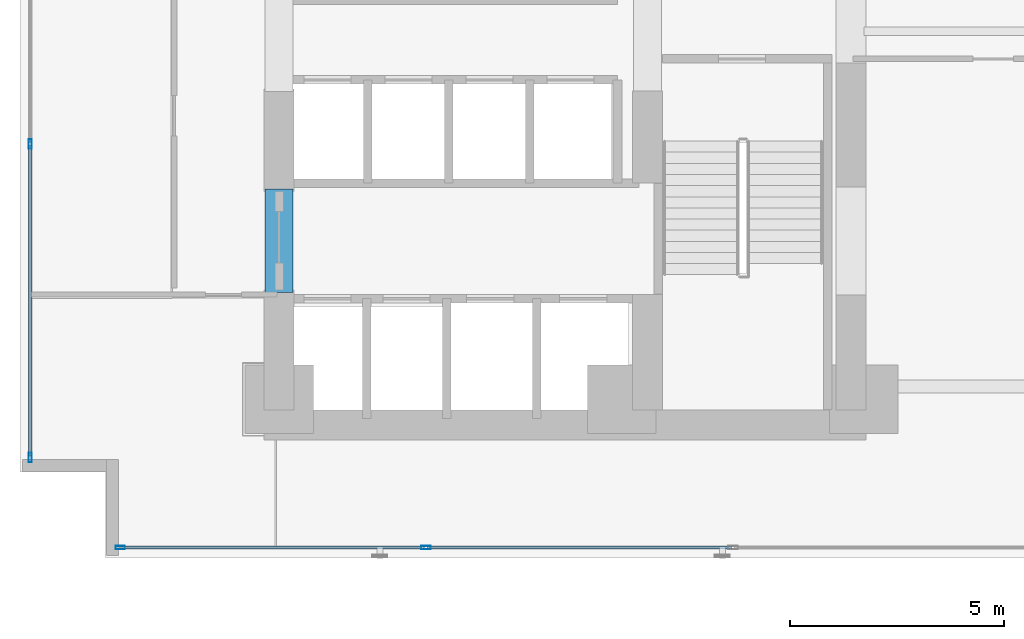
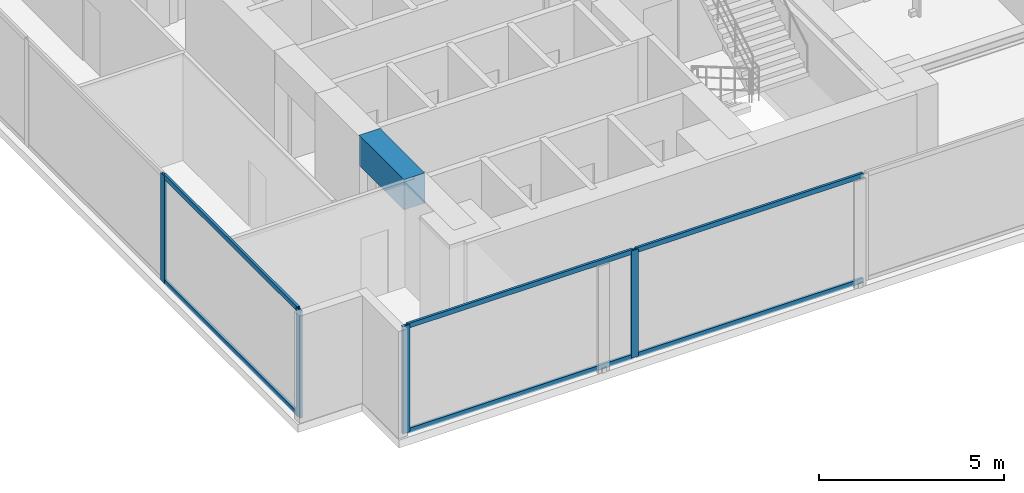
# One storey, part 2 of 31: 10 members, 1 beam, 2 elements without a shape of their own.
"""IFC4 building model written with IfcOpenShell, lengths in metres."""

from ifc_helpers import new_model, si_unit, direction, frame, origin, origin_with_axes, origin_2d, place, context, subcontext, project, spatial, rectangle, hollow_rectangle, extrude, source, transform, mapped, material, layer, layer_set, material_profile, profile_set, type_object, element, aggregate, save


model = new_model("IFC4")

# Units and contexts
model_context = context("Model", 3, precision=1e-05, world=origin(), true_north=direction((0.0, 1.0)))
body_context = subcontext(model_context, "Body", "Model", "MODEL_VIEW")
ifc_project = project(units=[si_unit("LENGTHUNIT", "METRE"), si_unit("AREAUNIT", "SQUARE_METRE"), si_unit("VOLUMEUNIT", "CUBIC_METRE"), si_unit("PLANEANGLEUNIT", "RADIAN"), si_unit("MASSUNIT", "GRAM", prefix="KILO")], contexts=[model_context])

# Site, building, storey
site_placement = place(None, origin())
site = spatial("IfcSite", under=ifc_project, at=site_placement, CompositionType="ELEMENT")
building_placement = place(site_placement, origin())
building = spatial("IfcBuilding", under=site, at=building_placement, Name="Kolvaren Waterfront Exchange", CompositionType="ELEMENT")
storey_placement = place(building_placement, frame((0.0, 0.0, 67.60009765625)))
storey = spatial("IfcBuildingStorey", under=building, at=storey_placement, Name="L17", CompositionType="ELEMENT", Elevation=67.60009765625)

# Beam
ifc_material_1 = material(Name="Concrete C60/75", Category="concrete")
ifc_material_profile_1 = material_profile(ifc_material_1, rectangle(XDim=0.64990234375, YDim=1.0, at=origin_2d()), Name="RC-CB-1000x650")
ifc_profile_set_1 = profile_set([ifc_material_profile_1], Name="Concrete C60/75")
beam_type = type_object("IfcBeamType", Name="STR-CB-1000", PredefinedType="SPANDREL", material=ifc_profile_set_1)
beam_placement = place(storey_placement, frame((7.449951171875, 7.389892578125, 3.039794921875), z_axis=(0.0, 1.0, 0.0), x_axis=(-1.0, 0.0, 0.0)))
element("IfcBeam", 1, at=beam_placement, inside=storey, type_object=beam_type, Name="L17 core coupling beam 3", PredefinedType="SPANDREL", context=body_context, shape_type="SweptSolid", body=[
    extrude(rectangle(XDim=0.64990234375, YDim=1.0, at=origin_2d()), origin(), (0.0, 0.0, 1.0), 2.420166015625),
])

# Curtain wall, members
ifc_material_2 = material(Name="Anodised bronze aluminium 6063-T6", Category="aluminium")
ifc_layer_1 = layer(ifc_material_2, 0.219970703125, Name="Anodised bronze aluminium 6063-T6")
ifc_layer_set_1 = layer_set([ifc_layer_1], Name="Anodised bronze aluminium 6063-T6")
curtain_wall_type_1 = type_object("IfcCurtainWallType", Name="ARC-CW-SYS1", PredefinedType="USERDEFINED", material=ifc_layer_set_1)
curtain_wall_1_placement = place(storey_placement, origin())
curtain_wall_1 = element("IfcCurtainWall", 2, at=curtain_wall_1_placement, inside=storey, type_object=curtain_wall_type_1, Name="L17 stick curtain wall CW1 (CW-L17-S)", ObjectType="STICK CURTAIN WALL", PredefinedType="USERDEFINED")
ifc_material_3 = material(Name="Anodised aluminium 6063-T6", Category="aluminium")
ifc_material_profile_2 = material_profile(ifc_material_3, hollow_rectangle(XDim=0.080078125, YDim=0.219970703125, WallThickness=0.0048828125, at=origin_2d()), Name="ALU-MUL-220x80x5")
ifc_profile_set_2 = profile_set([ifc_material_profile_2], Name="Anodised aluminium 6063-T6")
member_type_1 = type_object("IfcMemberType", Name="ARC-CWM-220", PredefinedType="MULLION", material=ifc_profile_set_2)
shared_shape_1 = source(origin_with_axes(), body_context, "Body", "SweptSolid", [
    extrude(hollow_rectangle(XDim=0.080078125, YDim=0.219970703125, WallThickness=0.0048828125, at=origin_2d()), origin(), (0.0, 0.0, 1.0), 3.539794921875),
])
member_1_placement = place(storey_placement, frame((3.739990234375, 1.43994140625, 0.0), z_axis=(0.0, 0.0, 1.0), x_axis=(0.0, 1.0, 0.0)))
member_1 = element("IfcMember", 3, at=member_1_placement, type_object=member_type_1, Name="CW1 mullion 1", PredefinedType="MULLION", context=body_context, shape_type="MappedRepresentation", body=[
    mapped(shared_shape_1, transform((0.0, 0.0, 0.0), x_axis=(1.0, 0.0, 0.0), y_axis=(0.0, 1.0, 0.0), z_axis=(0.0, 0.0, 1.0), scale=1.0)),
])
member_2_placement = place(storey_placement, frame((10.875, 1.43994140625, 0.0), z_axis=(0.0, 0.0, 1.0), x_axis=(0.0, 1.0, 0.0)))
member_2 = element("IfcMember", 4, at=member_2_placement, type_object=member_type_1, Name="CW1 mullion 2", PredefinedType="MULLION", context=body_context, shape_type="MappedRepresentation", body=[
    mapped(shared_shape_1, transform((0.0, 0.0, 0.0), x_axis=(1.0, 0.0, 0.0), y_axis=(0.0, 1.0, 0.0), z_axis=(0.0, 0.0, 1.0), scale=1.0)),
])

ifc_layer_2 = layer(ifc_material_3, 0.219970703125, Name="Anodised aluminium 6063-T6")
ifc_layer_set_2 = layer_set([ifc_layer_2], Name="Anodised aluminium 6063-T6")
curtain_wall_type_2 = type_object("IfcCurtainWallType", Name="ARC-CW-SYS2", PredefinedType="USERDEFINED", material=ifc_layer_set_2)
curtain_wall_2_placement = place(storey_placement, origin())
curtain_wall_2 = element("IfcCurtainWall", 5, at=curtain_wall_2_placement, inside=storey, type_object=curtain_wall_type_2, Name="L17 stick curtain wall CW2 (CW-L17-W)", ObjectType="STICK CURTAIN WALL", PredefinedType="USERDEFINED")
member_3_placement = place(storey_placement, frame((1.639892578125, 3.5400390625, 0.0), z_axis=(0.0, 0.0, 1.0), x_axis=(-1.0, 0.0, 0.0)))
member_3 = element("IfcMember", 6, at=member_3_placement, type_object=member_type_1, Name="CW2 mullion 1", PredefinedType="MULLION", context=body_context, shape_type="MappedRepresentation", body=[
    mapped(shared_shape_1, transform((0.0, 0.0, 0.0), x_axis=(1.0, 0.0, 0.0), y_axis=(0.0, 1.0, 0.0), z_axis=(0.0, 0.0, 1.0), scale=1.0)),
])
member_4_placement = place(storey_placement, frame((1.639892578125, 10.86669921875, 0.0), z_axis=(0.0, 0.0, 1.0), x_axis=(-1.0, 0.0, 0.0)))
member_4 = element("IfcMember", 7, at=member_4_placement, type_object=member_type_1, Name="CW2 mullion 2", PredefinedType="MULLION", context=body_context, shape_type="MappedRepresentation", body=[
    mapped(shared_shape_1, transform((0.0, 0.0, 0.0), x_axis=(1.0, 0.0, 0.0), y_axis=(0.0, 1.0, 0.0), z_axis=(0.0, 0.0, 1.0), scale=1.0)),
])

# Member
ifc_material_profile_3 = material_profile(ifc_material_3, hollow_rectangle(XDim=0.074951171875, YDim=0.159912109375, WallThickness=0.00439453125, at=origin_2d()), Name="ALU-TRN-160x75x4.5")
ifc_profile_set_3 = profile_set([ifc_material_profile_3], Name="Anodised aluminium 6063-T6")
member_type_2 = type_object("IfcMemberType", Name="ARC-CWT-160", PredefinedType="USERDEFINED", material=ifc_profile_set_3)
shared_shape_2 = source(origin_with_axes(), body_context, "Body", "SweptSolid", [
    extrude(hollow_rectangle(XDim=0.074951171875, YDim=0.159912109375, WallThickness=0.00439453125, at=origin_2d()), origin(), (0.0, 0.0, 1.0), 7.054931640625),
])
member_5_placement = place(storey_placement, frame((3.780029296875, 1.43994140625, 0.037353515625), z_axis=(1.0, 0.0, 0.0), x_axis=(0.0, 1.0, 0.0)))
member_5 = element("IfcMember", 8, at=member_5_placement, type_object=member_type_2, Name="CW1 transom 1.1", ObjectType="TRANSOM", PredefinedType="USERDEFINED", context=body_context, shape_type="MappedRepresentation", body=[
    mapped(shared_shape_2, transform((0.0, 0.0, 0.0), x_axis=(1.0, 0.0, 0.0), y_axis=(0.0, 1.0, 0.0), z_axis=(0.0, 0.0, 1.0), scale=1.0)),
])

member_6_placement = place(storey_placement, frame((3.780029296875, 1.43994140625, 3.50244140625), z_axis=(1.0, 0.0, 0.0), x_axis=(0.0, 1.0, 0.0)))
member_6 = element("IfcMember", 9, at=member_6_placement, type_object=member_type_2, Name="CW1 transom 1.2", ObjectType="TRANSOM", PredefinedType="USERDEFINED", context=body_context, shape_type="MappedRepresentation", body=[
    mapped(shared_shape_2, transform((0.0, 0.0, 0.0), x_axis=(1.0, 0.0, 0.0), y_axis=(0.0, 1.0, 0.0), z_axis=(0.0, 0.0, 1.0), scale=1.0)),
])

shared_shape_3 = source(origin_with_axes(), body_context, "Body", "SweptSolid", [
    extrude(hollow_rectangle(XDim=0.074951171875, YDim=0.159912109375, WallThickness=0.00439453125, at=origin_2d()), origin(), (0.0, 0.0, 1.0), 7.094970703125),
])
member_7_placement = place(storey_placement, frame((10.9150390625, 1.43994140625, 0.037353515625), z_axis=(1.0, 0.0, 0.0), x_axis=(0.0, 1.0, 0.0)))
member_7 = element("IfcMember", 10, at=member_7_placement, type_object=member_type_2, Name="CW1 transom 2.1", ObjectType="TRANSOM", PredefinedType="USERDEFINED", context=body_context, shape_type="MappedRepresentation", body=[
    mapped(shared_shape_3, transform((0.0, 0.0, 0.0), x_axis=(1.0, 0.0, 0.0), y_axis=(0.0, 1.0, 0.0), z_axis=(0.0, 0.0, 1.0), scale=1.0)),
])

member_8_placement = place(storey_placement, frame((10.9150390625, 1.43994140625, 3.50244140625), z_axis=(1.0, 0.0, 0.0), x_axis=(0.0, 1.0, 0.0)))
member_8 = element("IfcMember", 11, at=member_8_placement, type_object=member_type_2, Name="CW1 transom 2.2", ObjectType="TRANSOM", PredefinedType="USERDEFINED", context=body_context, shape_type="MappedRepresentation", body=[
    mapped(shared_shape_3, transform((0.0, 0.0, 0.0), x_axis=(1.0, 0.0, 0.0), y_axis=(0.0, 1.0, 0.0), z_axis=(0.0, 0.0, 1.0), scale=1.0)),
])

aggregate(curtain_wall_1, [member_1, member_2, member_5, member_6, member_7, member_8])

shared_shape_4 = source(origin_with_axes(), body_context, "Body", "SweptSolid", [
    extrude(hollow_rectangle(XDim=0.074951171875, YDim=0.159912109375, WallThickness=0.00439453125, at=origin_2d()), origin(), (0.0, 0.0, 1.0), 7.24658203125),
])
member_9_placement = place(storey_placement, frame((1.639892578125, 3.580078125, 0.037353515625), z_axis=(0.0, 1.0, 0.0), x_axis=(-1.0, 0.0, 0.0)))
member_9 = element("IfcMember", 12, at=member_9_placement, type_object=member_type_2, Name="CW2 transom 1.1", ObjectType="TRANSOM", PredefinedType="USERDEFINED", context=body_context, shape_type="MappedRepresentation", body=[
    mapped(shared_shape_4, transform((0.0, 0.0, 0.0), x_axis=(1.0, 0.0, 0.0), y_axis=(0.0, 1.0, 0.0), z_axis=(0.0, 0.0, 1.0), scale=1.0)),
])

member_10_placement = place(storey_placement, frame((1.639892578125, 3.580078125, 3.50244140625), z_axis=(0.0, 1.0, 0.0), x_axis=(-1.0, 0.0, 0.0)))
member_10 = element("IfcMember", 13, at=member_10_placement, type_object=member_type_2, Name="CW2 transom 1.2", ObjectType="TRANSOM", PredefinedType="USERDEFINED", context=body_context, shape_type="MappedRepresentation", body=[
    mapped(shared_shape_4, transform((0.0, 0.0, 0.0), x_axis=(1.0, 0.0, 0.0), y_axis=(0.0, 1.0, 0.0), z_axis=(0.0, 0.0, 1.0), scale=1.0)),
])

aggregate(curtain_wall_2, [member_3, member_4, member_9, member_10])

save(model, "model.ifc")
